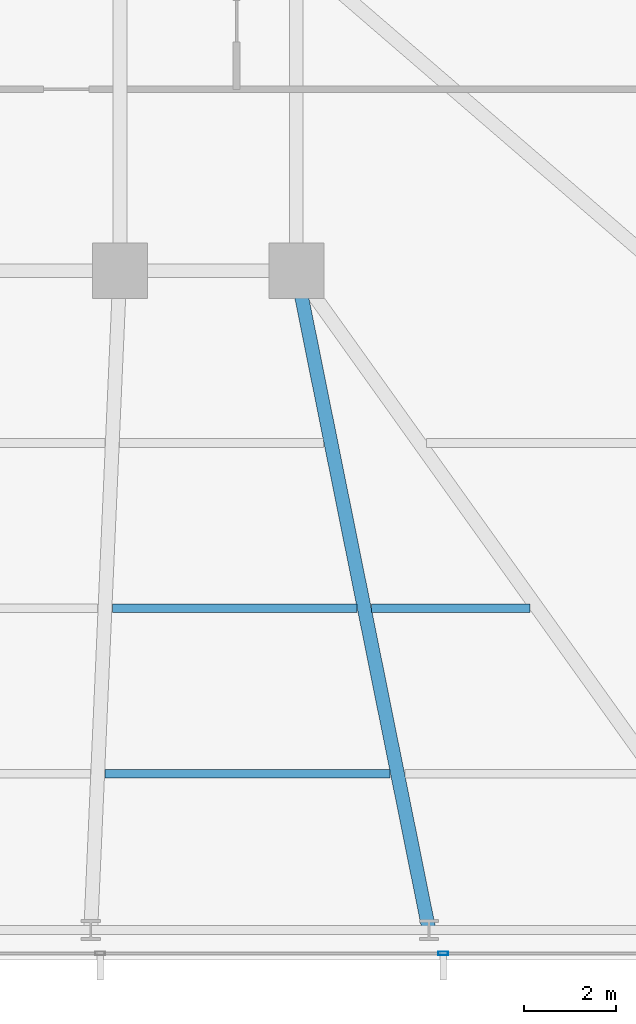
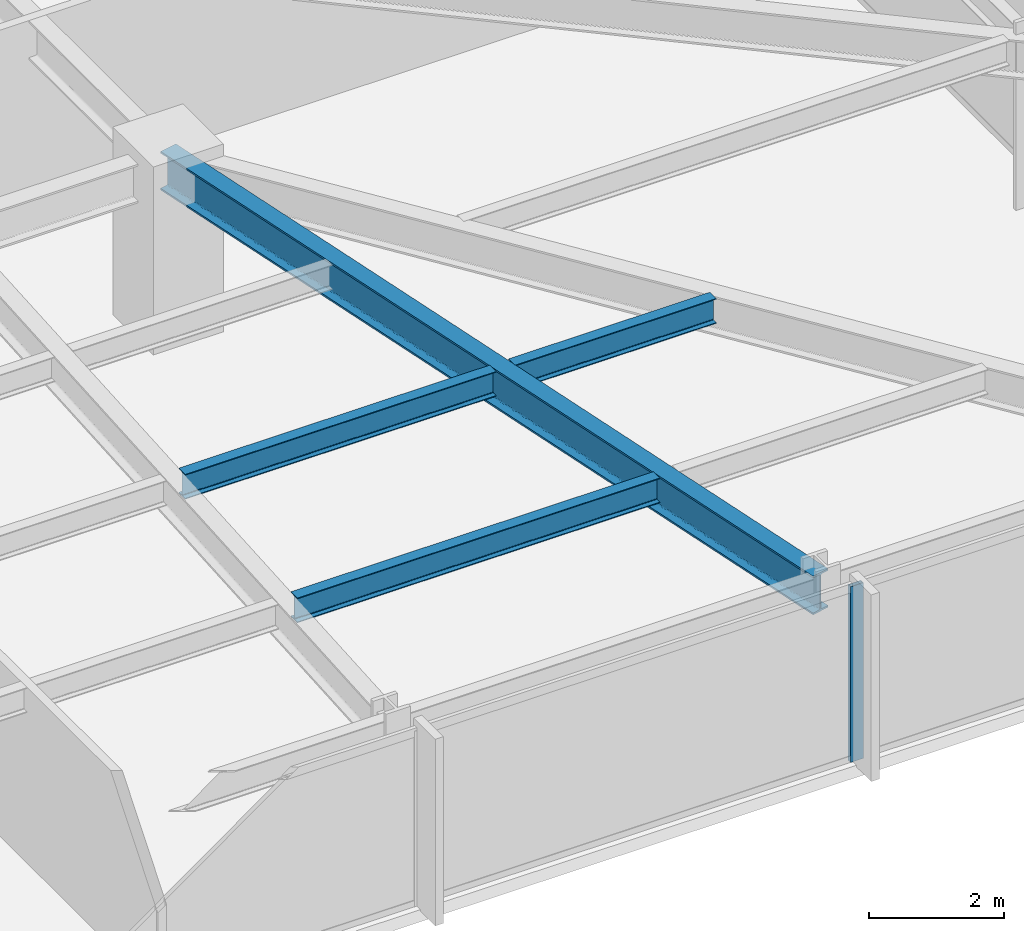
# One storey, part 14 of 32: 4 beams, 1 member, 1 element without a shape of its own.
"""IFC4 building model written with IfcOpenShell, lengths in metres."""

from ifc_helpers import new_model, si_unit, direction, frame, origin, origin_2d, place, context, subcontext, project, spatial, hollow_rectangle, i_section, extrude, material, material_profile, profile_set, type_object, element, aggregate, save


model = new_model("IFC4")

# Units and contexts
model_context = context("Model", 3, precision=1e-05, world=origin(), true_north=direction((0.0, 1.0)))
body_context = subcontext(model_context, "Body", "Model", "MODEL_VIEW")
ifc_project = project(units=[si_unit("LENGTHUNIT", "METRE"), si_unit("AREAUNIT", "SQUARE_METRE"), si_unit("VOLUMEUNIT", "CUBIC_METRE"), si_unit("PLANEANGLEUNIT", "RADIAN"), si_unit("MASSUNIT", "GRAM", prefix="KILO")], contexts=[model_context])

# Site, building, storey
site_placement = place(None, origin())
site = spatial("IfcSite", under=ifc_project, at=site_placement, CompositionType="ELEMENT")
building_placement = place(site_placement, origin())
building = spatial("IfcBuilding", under=site, at=building_placement, Name="Yelkora Congress Tower", CompositionType="ELEMENT")
storey_placement = place(building_placement, frame((0.0, 0.0, 67.800048828125)))
storey = spatial("IfcBuildingStorey", under=building, at=storey_placement, Name="L17", CompositionType="ELEMENT", Elevation=67.800048828125)

# Beams
ifc_material_1 = material(Name="Steel S355J2", Category="steel")
ifc_material_profile_1 = material_profile(ifc_material_1, i_section(OverallWidth=0.300048828125, OverallDepth=0.699951171875, WebThickness=0.01708984375, FlangeThickness=0.031982421875, FilletRadius=0.027099609375, at=origin_2d()), Name="HEB 700")
ifc_profile_set_1 = profile_set([ifc_material_profile_1], Name="Steel S355J2")
beam_type_1 = type_object("IfcBeamType", Name="BM-GIRD-HEB700", PredefinedType="BEAM", material=ifc_profile_set_1)
beam_1_placement = place(storey_placement, frame((60.487548828125, 10.85009765625, 2.829833984375), z_axis=(-0.197264295931, 0.980350344291, 0.0), x_axis=(-0.980350344291, -0.197264295931, 0.0)))
element("IfcBeam", 1, at=beam_1_placement, inside=storey, type_object=beam_type_1, Name="L17 Primary Frame Girder S08", PredefinedType="BEAM", context=body_context, shape_type="SweptSolid", body=[
    extrude(i_section(OverallWidth=0.300048828125, OverallDepth=0.699951171875, WebThickness=0.01708984375, FlangeThickness=0.031982421875, FilletRadius=0.027099609375, at=origin_2d()), origin(), (0.0, 0.0, 1.0), 14.637451171875),
])
ifc_material_profile_2 = material_profile(ifc_material_1, i_section(OverallWidth=0.18994140625, OverallDepth=0.449951171875, WebThickness=0.009521484375, FlangeThickness=0.0146484375, FilletRadius=0.02099609375, at=origin_2d()), Name="IPE 450")
ifc_profile_set_2 = profile_set([ifc_material_profile_2], Name="Steel S355J2")
beam_type_2 = type_object("IfcBeamType", Name="BM-JOIST-IPE450", PredefinedType="JOIST", material=ifc_profile_set_2)
beam_2_placement = place(storey_placement, frame((53.435546875, 14.25, 2.954833984375), z_axis=(1.0, 0.0, 0.0), x_axis=(0.0, 1.0, 0.0)))
element("IfcBeam", 2, at=beam_2_placement, inside=storey, type_object=beam_type_2, Name="L17 Composite Floor Joist 7", PredefinedType="JOIST", context=body_context, shape_type="SweptSolid", body=[
    extrude(i_section(OverallWidth=0.18994140625, OverallDepth=0.449951171875, WebThickness=0.009521484375, FlangeThickness=0.0146484375, FilletRadius=0.02099609375, at=origin_2d()), origin(), (0.0, 0.0, 1.0), 6.207763671875),
])
beam_3_placement = place(storey_placement, frame((53.5947265625, 17.85009765625, 2.954833984375), z_axis=(1.0, 0.0, 0.0), x_axis=(0.0, 1.0, 0.0)))
element("IfcBeam", 3, at=beam_3_placement, inside=storey, type_object=beam_type_2, Name="L17 Composite Floor Joist 15", PredefinedType="JOIST", context=body_context, shape_type="SweptSolid", body=[
    extrude(i_section(OverallWidth=0.18994140625, OverallDepth=0.449951171875, WebThickness=0.009521484375, FlangeThickness=0.0146484375, FilletRadius=0.02099609375, at=origin_2d()), origin(), (0.0, 0.0, 1.0), 5.32421875),
])
beam_4_placement = place(storey_placement, frame((59.239013671875, 17.85009765625, 2.954833984375), z_axis=(1.0, 0.0, 0.0), x_axis=(0.0, 1.0, 0.0)))
element("IfcBeam", 4, at=beam_4_placement, inside=storey, type_object=beam_type_2, Name="L17 Composite Floor Joist 16", PredefinedType="JOIST", context=body_context, shape_type="SweptSolid", body=[
    extrude(i_section(OverallWidth=0.18994140625, OverallDepth=0.449951171875, WebThickness=0.009521484375, FlangeThickness=0.0146484375, FilletRadius=0.02099609375, at=origin_2d()), origin(), (0.0, 0.0, 1.0), 3.450927734375),
])

# Curtain wall, member
ifc_material_2 = material(Name="Anodised aluminium and insulated glass", Category="aluminium")
curtain_wall_type = type_object("IfcCurtainWallType", Name="CW-SYS-B1", PredefinedType="NOTDEFINED", material=ifc_material_2)
curtain_wall_placement = place(storey_placement, origin())
curtain_wall = element("IfcCurtainWall", 5, at=curtain_wall_placement, inside=storey, type_object=curtain_wall_type, Name="L17 Unitised Curtain Wall 20", PredefinedType="NOTDEFINED")
ifc_material_3 = material(Name="Anodised aluminium 6063-T6", Category="aluminium")
ifc_material_profile_3 = material_profile(ifc_material_3, hollow_rectangle(XDim=0.074951171875, YDim=0.219970703125, WallThickness=0.0048828125, at=origin_2d()), Name="ALU 75x220x5")
ifc_profile_set_3 = profile_set([ifc_material_profile_3], Name="Anodised aluminium 6063-T6")
member_type = type_object("IfcMemberType", Name="MEM-ML-B1", PredefinedType="MULLION", material=ifc_profile_set_3)
member_placement = place(storey_placement, frame((60.794921875, 10.340087890625, 0.0), z_axis=(0.0, 0.0, 1.0), x_axis=(0.0, -1.0, 0.0)))
member = element("IfcMember", 6, at=member_placement, type_object=member_type, Name="CW-B1 mullion 2", PredefinedType="MULLION", context=body_context, shape_type="SweptSolid", body=[
    extrude(hollow_rectangle(XDim=0.074951171875, YDim=0.219970703125, WallThickness=0.0048828125, at=origin_2d()), origin(), (0.0, 0.0, 1.0), 3.179931640625),
])
aggregate(curtain_wall, [member])

save(model, "model.ifc")
